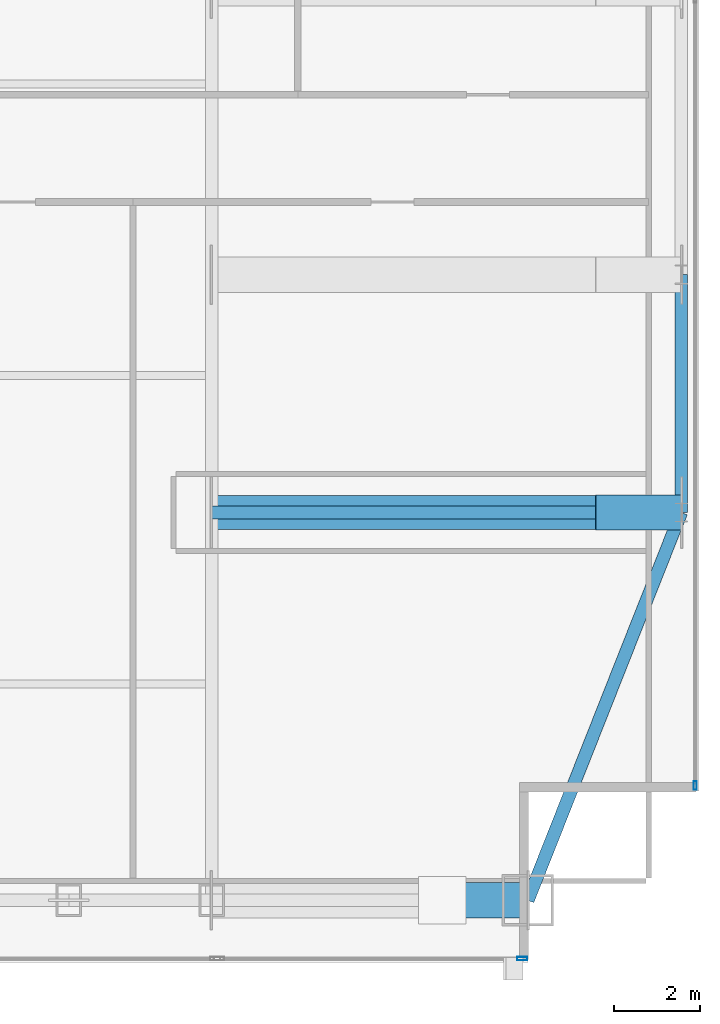
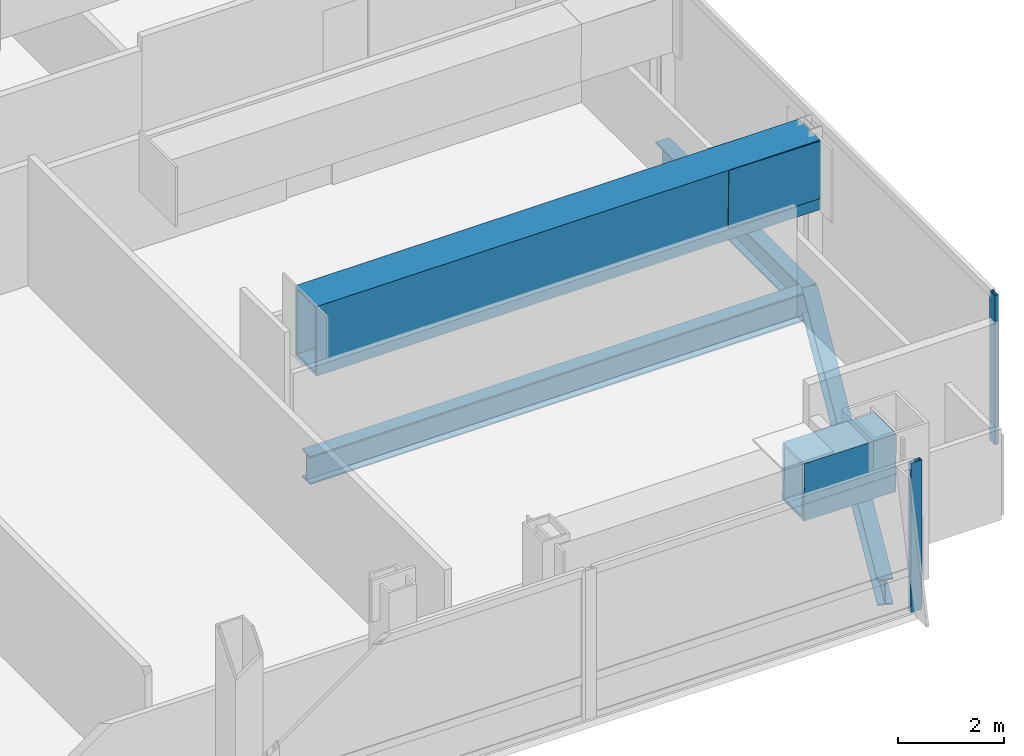
# One storey, part 13 of 26: 6 beams, 2 members, 2 elements without a shape of their own.
"""IFC4 building model written with IfcOpenShell, lengths in metres."""

from ifc_helpers import new_model, si_unit, direction, frame, origin, origin_2d, place, context, subcontext, project, spatial, hollow_rectangle, i_section, extrude, material, material_profile, profile_set, type_object, element, aggregate, save


model = new_model("IFC4")

# Units and contexts
model_context = context("Model", 3, precision=1e-05, world=origin(), true_north=direction((0.0, 1.0)))
body_context = subcontext(model_context, "Body", "Model", "MODEL_VIEW")
ifc_project = project(units=[si_unit("LENGTHUNIT", "METRE"), si_unit("AREAUNIT", "SQUARE_METRE"), si_unit("VOLUMEUNIT", "CUBIC_METRE"), si_unit("PLANEANGLEUNIT", "RADIAN"), si_unit("MASSUNIT", "GRAM", prefix="KILO")], contexts=[model_context])

# Site, building, storey
site_placement = place(None, origin())
site = spatial("IfcSite", under=ifc_project, at=site_placement, CompositionType="ELEMENT")
building_placement = place(site_placement, origin())
building = spatial("IfcBuilding", under=site, at=building_placement, Name="Khoronbel Lancet Exchange", CompositionType="ELEMENT")
storey_placement = place(building_placement, frame((0.0, 0.0, 235.39990234375)))
storey = spatial("IfcBuildingStorey", under=building, at=storey_placement, Name="L60", CompositionType="ELEMENT", Elevation=235.39990234375)

# Beams
ifc_material_1 = material(Name="Steel S355", Category="steel")
ifc_material_profile_1 = material_profile(ifc_material_1, i_section(OverallWidth=0.300048828125, OverallDepth=0.64990234375, WebThickness=0.01611328125, FlangeThickness=0.031005859375, at=origin_2d()), Name="HEB 650")
ifc_profile_set_1 = profile_set([ifc_material_profile_1], Name="Steel S355")
beam_type_1 = type_object("IfcBeamType", Name="BM-BG4", PredefinedType="BEAM", material=ifc_profile_set_1)
beam_1_placement = place(storey_placement, frame((54.675048828125, 19.199951171875, -0.48486328125), z_axis=(1.0, 0.0, 0.0), x_axis=(0.0, 1.0, 0.0)))
element("IfcBeam", 1, at=beam_1_placement, inside=storey, type_object=beam_type_1, Name="Level L60 east lens tie girder LG1E", PredefinedType="BEAM", context=body_context, shape_type="SweptSolid", body=[
    extrude(i_section(OverallWidth=0.300048828125, OverallDepth=0.64990234375, WebThickness=0.01611328125, FlangeThickness=0.031005859375, at=origin_2d()), origin(), (0.0, 0.0, 1.0), 10.954833984375),
])
ifc_material_profile_2 = material_profile(ifc_material_1, i_section(OverallWidth=0.300048828125, OverallDepth=0.60009765625, WebThickness=0.015380859375, FlangeThickness=0.030029296875, at=origin_2d()), Name="HEB 600")
ifc_profile_set_2 = profile_set([ifc_material_profile_2], Name="Steel S355")
beam_type_2 = type_object("IfcBeamType", Name="BM-BSP2", PredefinedType="SPANDREL", material=ifc_profile_set_2)
beam_2_placement = place(storey_placement, frame((62.050048828125, 10.14990234375, -0.4599609375), z_axis=(0.367828403855, 0.929893684954, 0.0), x_axis=(-0.929893684954, 0.367828403855, 0.0)))
element("IfcBeam", 2, at=beam_2_placement, inside=storey, type_object=beam_type_2, Name="Level L60 perimeter spandrel beam SP10", PredefinedType="SPANDREL", context=body_context, shape_type="SweptSolid", body=[
    extrude(i_section(OverallWidth=0.300048828125, OverallDepth=0.60009765625, WebThickness=0.015380859375, FlangeThickness=0.030029296875, at=origin_2d()), origin(), (0.0, 0.0, 1.0), 9.732421875),
])
beam_3_placement = place(storey_placement, frame((65.6298828125, 19.199951171875, -0.4599609375), z_axis=(0.0, 1.0, 0.0), x_axis=(-1.0, 0.0, 0.0)))
element("IfcBeam", 3, at=beam_3_placement, inside=storey, type_object=beam_type_2, Name="Level L60 perimeter spandrel beam SP11", PredefinedType="SPANDREL", context=body_context, shape_type="SweptSolid", body=[
    extrude(i_section(OverallWidth=0.300048828125, OverallDepth=0.60009765625, WebThickness=0.015380859375, FlangeThickness=0.030029296875, at=origin_2d()), origin(), (0.0, 0.0, 1.0), 5.550048828125),
])
ifc_material_2 = material(Name="Steel S460", Category="steel")
ifc_material_profile_3 = material_profile(ifc_material_2, hollow_rectangle(XDim=0.800048828125, YDim=1.60009765625, WallThickness=0.06494140625, at=origin_2d()), Name="BOX 800x1600x65")
ifc_profile_set_3 = profile_set([ifc_material_profile_3], Name="Steel S460")
beam_type_3 = type_object("IfcBeamType", Name="BM-TG2", PredefinedType="USERDEFINED", material=ifc_profile_set_3)
beam_4_placement = place(storey_placement, frame((54.675048828125, 19.199951171875, 2.64013671875), z_axis=(1.0, 0.0, 0.0), x_axis=(0.0, 1.0, 0.0)))
element("IfcBeam", 4, at=beam_4_placement, inside=storey, type_object=beam_type_3, Name="Lens setback S460 transfer girder L60-E1", ObjectType="TRANSFER GIRDER", PredefinedType="USERDEFINED", context=body_context, shape_type="SweptSolid", body=[
    extrude(hollow_rectangle(XDim=0.800048828125, YDim=1.60009765625, WallThickness=0.06494140625, at=origin_2d()), origin(), (0.0, 0.0, 1.0), 10.954833984375),
])
ifc_material_profile_4 = material_profile(ifc_material_2, hollow_rectangle(XDim=0.820068359375, YDim=1.320068359375, WallThickness=0.070068359375, at=origin_2d()), Name="BOX 820x1320x70")
ifc_profile_set_4 = profile_set([ifc_material_profile_4], Name="Steel S460")
beam_type_4 = type_object("IfcBeamType", Name="BM-TG4", PredefinedType="USERDEFINED", material=ifc_profile_set_4)
for number, where, z_axis, x_axis, name in (
    (5, (62.050048828125, 10.14990234375, 2.760009765625), (-0.99994990606, 0.0, 0.010009264196), (0.0, -1.0, 0.0), "Setback transfer knee-brace girder L60-MC-SE"),
    (6, (65.6298828125, 19.199951171875, 2.760009765625), (-0.99994990606, 0.0, 0.010009264196), (0.0, -1.0, 0.0), "Setback transfer knee-brace girder L60-EC-1"),
):
    element("IfcBeam", number, at=place(storey_placement, frame(where, z_axis=z_axis, x_axis=x_axis)), inside=storey, type_object=beam_type_4, Name=name, ObjectType="TRANSFER GIRDER", PredefinedType="USERDEFINED", context=body_context, shape_type="SweptSolid", body=[
        extrude(hollow_rectangle(XDim=0.820068359375, YDim=1.320068359375, WallThickness=0.070068359375, at=origin_2d()), origin(), (0.0, 0.0, 1.0), 2.0),
    ])

# Curtain wall, member
ifc_material_3 = material(Name="Low-E Solar Control Insulating Glass", Category="glass")
curtain_wall_type_1 = type_object("IfcCurtainWallType", Name="CW-3", PredefinedType="NOTDEFINED", material=ifc_material_3)
curtain_wall_1_placement = place(storey_placement, origin())
curtain_wall_1 = element("IfcCurtainWall", 7, at=curtain_wall_1_placement, inside=storey, type_object=curtain_wall_type_1, Name="Unitised curtain wall CW-L60-SEV", PredefinedType="NOTDEFINED")
ifc_material_4 = material(Name="Bronze-Anodised Aluminium 6063-T6", Category="aluminium")
ifc_material_profile_5 = material_profile(ifc_material_4, hollow_rectangle(XDim=0.0849609375, YDim=0.239990234375, WallThickness=0.006103515625, at=origin_2d()), Name="ALU MULLION 85x240")
ifc_profile_set_5 = profile_set([ifc_material_profile_5], Name="Bronze-Anodised Aluminium 6063-T6")
member_type_1 = type_object("IfcMemberType", Name="MEM-CWM1", PredefinedType="MULLION", material=ifc_profile_set_5)
member_1_placement = place(storey_placement, frame((61.91748046875, 8.7900390625, 0.0), z_axis=(0.0, 0.0, 1.0), x_axis=(0.0, 1.0, 0.0)))
member_1 = element("IfcMember", 8, at=member_1_placement, type_object=member_type_1, Name="CW3 mullion 2", PredefinedType="MULLION", context=body_context, shape_type="SweptSolid", body=[
    extrude(hollow_rectangle(XDim=0.0849609375, YDim=0.239990234375, WallThickness=0.006103515625, at=origin_2d()), origin(), (0.0, 0.0, 1.0), 3.440185546875),
])
aggregate(curtain_wall_1, [member_1])

curtain_wall_type_2 = type_object("IfcCurtainWallType", Name="CW-4", PredefinedType="NOTDEFINED", material=ifc_material_3)
curtain_wall_2_placement = place(storey_placement, origin())
curtain_wall_2 = element("IfcCurtainWall", 9, at=curtain_wall_2_placement, inside=storey, type_object=curtain_wall_type_2, Name="Unitised curtain wall CW-L60-E09", PredefinedType="NOTDEFINED")
ifc_material_profile_6 = material_profile(ifc_material_4, hollow_rectangle(XDim=0.074951171875, YDim=0.199951171875, WallThickness=0.0048828125, at=origin_2d()), Name="ALU MULLION 75x200")
ifc_profile_set_6 = profile_set([ifc_material_profile_6], Name="Bronze-Anodised Aluminium 6063-T6")
member_type_2 = type_object("IfcMemberType", Name="MEM-CWM2", PredefinedType="MULLION", material=ifc_profile_set_6)
member_2_placement = place(storey_placement, frame((65.9599609375, 12.827392578125, 0.0), z_axis=(0.0, 0.0, 1.0), x_axis=(1.0, 0.0, 0.0)))
member_2 = element("IfcMember", 10, at=member_2_placement, type_object=member_type_2, Name="CW4 mullion 3", PredefinedType="MULLION", context=body_context, shape_type="SweptSolid", body=[
    extrude(hollow_rectangle(XDim=0.074951171875, YDim=0.199951171875, WallThickness=0.0048828125, at=origin_2d()), origin(), (0.0, 0.0, 1.0), 3.440185546875),
])
aggregate(curtain_wall_2, [member_2])

save(model, "model.ifc")
